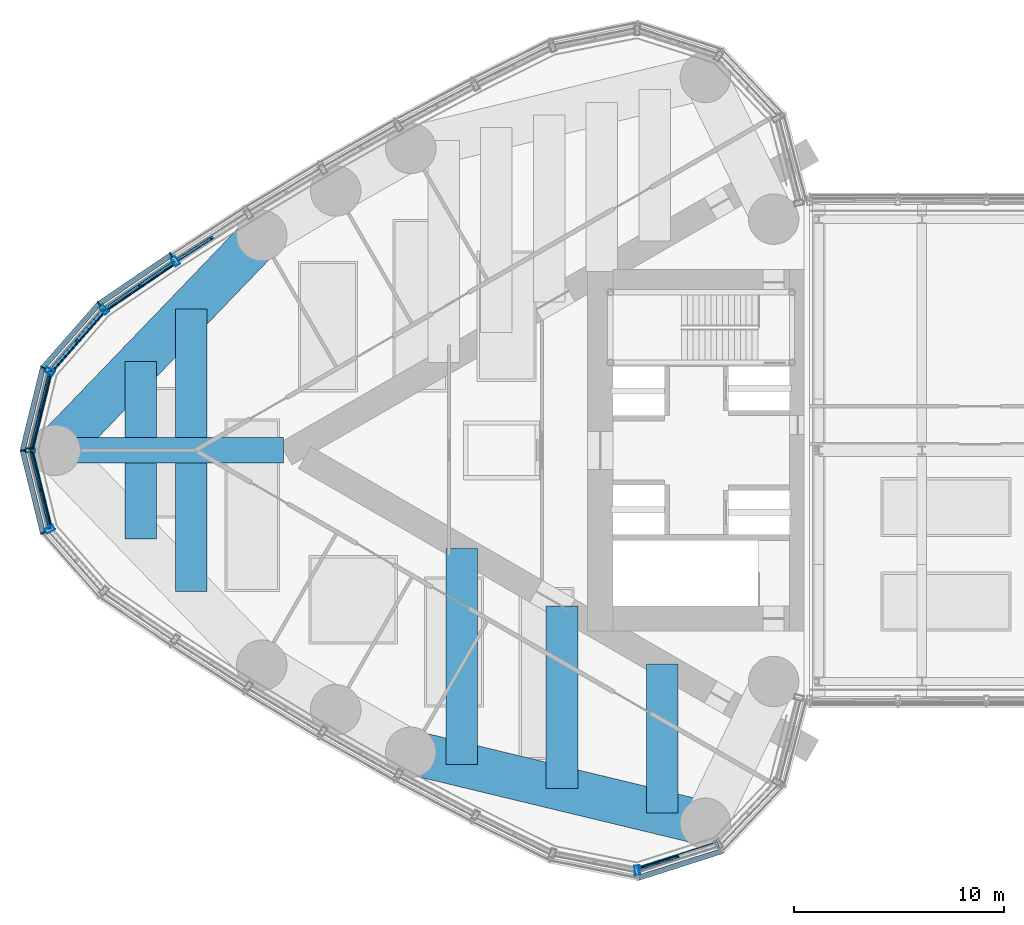
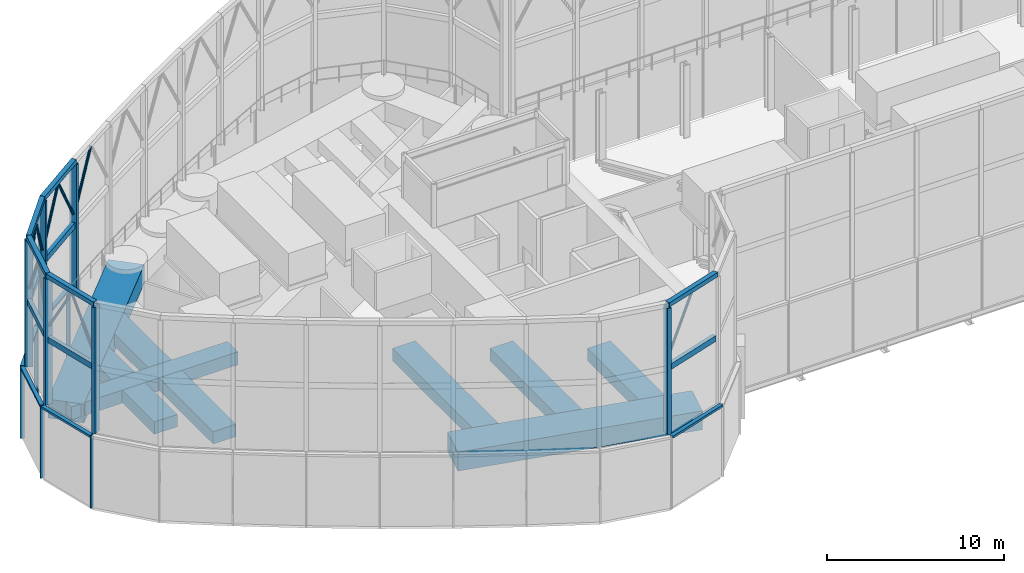
# One storey, part 8 of 33: 36 members, 10 beams, 2 elements without a shape of their own.
"""IFC4 building model written with IfcOpenShell, lengths in metres."""

from ifc_helpers import new_model, si_unit, direction, frame, origin, origin_2d, place, context, subcontext, project, spatial, rectangle, hollow_rectangle, hollow_circle, extrude, material, material_profile, profile_set, type_object, element, aggregate, save


model = new_model("IFC4")

# Units and contexts
model_context = context("Model", 3, precision=1e-05, world=origin(), true_north=direction((0.0, 1.0)))
body_context = subcontext(model_context, "Body", "Model", "MODEL_VIEW")
ifc_project = project(units=[si_unit("LENGTHUNIT", "METRE"), si_unit("AREAUNIT", "SQUARE_METRE"), si_unit("VOLUMEUNIT", "CUBIC_METRE"), si_unit("PLANEANGLEUNIT", "RADIAN"), si_unit("MASSUNIT", "GRAM", prefix="KILO")], contexts=[model_context])

# Site, building, storey
site_placement = place(None, origin())
site = spatial("IfcSite", under=ifc_project, at=site_placement, CompositionType="ELEMENT")
building_placement = place(site_placement, origin())
building = spatial("IfcBuilding", under=site, at=building_placement, Name="Lancet Gate Hotel", CompositionType="ELEMENT")
storey_placement = place(building_placement, frame((0.0, 0.0, 268.300048828125)))
storey = spatial("IfcBuildingStorey", under=building, at=storey_placement, Name="L70", CompositionType="ELEMENT", Elevation=268.300048828125)

# Curtain wall, members
ifc_material_1 = material(Name="Aluminium curtain wall", Category="aluminium")
curtain_wall_type_1 = type_object("IfcCurtainWallType", Name="Lantern crown glazing", PredefinedType="USERDEFINED", material=ifc_material_1)
curtain_wall_1_placement = place(storey_placement, origin())
curtain_wall_1 = element("IfcCurtainWall", 1, at=curtain_wall_1_placement, inside=storey, type_object=curtain_wall_type_1, Name="T1 L70 curtain wall 1", ObjectType="LANTERN GLAZING", PredefinedType="USERDEFINED")
ifc_material_2 = material(Name="Aluminium mullion", Category="aluminium")
ifc_material_profile_1 = material_profile(ifc_material_2, rectangle(XDim=0.06494140625, YDim=0.25, at=origin_2d()), Name="MULLION 65x250")
ifc_profile_set_1 = profile_set([ifc_material_profile_1], Name="Aluminium mullion")
member_type_1 = type_object("IfcMemberType", Name="Aluminium mullion 65x250", PredefinedType="MULLION", material=ifc_profile_set_1)
member_1_placement = place(storey_placement, frame((-57.72021484375, 9.298095703125, 0.0), z_axis=(0.0, 0.0, 1.0), x_axis=(-0.834827178542, -0.550512108829, 0.0)))
member_1 = element("IfcMember", 2, at=member_1_placement, type_object=member_type_1, Name="T1 L70 curtain wall 1 mullion 10", PredefinedType="MULLION", context=body_context, shape_type="SweptSolid", body=[
    extrude(rectangle(XDim=0.06494140625, YDim=0.25, at=origin_2d()), origin(), (0.0, 0.0, 1.0), 5.0),
])
member_2_placement = place(storey_placement, frame((-61.15283203125, 6.967529296875, 0.0), z_axis=(0.0, 0.0, 1.0), x_axis=(-0.750715604757, -0.660625522345, 0.0)))
member_2 = element("IfcMember", 3, at=member_2_placement, type_object=member_type_1, Name="T1 L70 curtain wall 1 mullion 11", PredefinedType="MULLION", context=body_context, shape_type="SweptSolid", body=[
    extrude(rectangle(XDim=0.06494140625, YDim=0.25, at=origin_2d()), origin(), (0.0, 0.0, 1.0), 5.0),
])
member_3_placement = place(storey_placement, frame((-63.822021484375, 3.928466796875, 0.0), z_axis=(0.0, 0.0, 1.0), x_axis=(-0.46217799743, -0.886787177789, 0.0)))
member_3 = element("IfcMember", 4, at=member_3_placement, type_object=member_type_1, Name="T1 L70 curtain wall 1 mullion 12", PredefinedType="MULLION", context=body_context, shape_type="SweptSolid", body=[
    extrude(rectangle(XDim=0.06494140625, YDim=0.25, at=origin_2d()), origin(), (0.0, 0.0, 1.0), 5.0),
])
member_4_placement = place(storey_placement, frame((-64.7841796875, 0.0, 0.0), z_axis=(0.0, 0.0, 1.0), x_axis=(0.0, -1.0, 0.0)))
member_4 = element("IfcMember", 5, at=member_4_placement, type_object=member_type_1, Name="T1 L70 curtain wall 1 mullion 13", PredefinedType="MULLION", context=body_context, shape_type="SweptSolid", body=[
    extrude(rectangle(XDim=0.06494140625, YDim=0.25, at=origin_2d()), origin(), (0.0, 0.0, 1.0), 5.0),
])
member_5_placement = place(storey_placement, frame((-63.822021484375, -3.928466796875, 0.0), z_axis=(0.0, 0.0, 1.0), x_axis=(0.46217799743, -0.886787177789, 0.0)))
member_5 = element("IfcMember", 6, at=member_5_placement, type_object=member_type_1, Name="T1 L70 curtain wall 1 mullion 14", PredefinedType="MULLION", context=body_context, shape_type="SweptSolid", body=[
    extrude(rectangle(XDim=0.06494140625, YDim=0.25, at=origin_2d()), origin(), (0.0, 0.0, 1.0), 5.0),
])
ifc_material_3 = material(Name="Aluminium transom", Category="aluminium")
ifc_material_profile_2 = material_profile(ifc_material_3, rectangle(XDim=0.25, YDim=0.14990234375, at=origin_2d()), Name="TRANSOM 250x150")
ifc_profile_set_2 = profile_set([ifc_material_profile_2], Name="Aluminium transom")
member_type_2 = type_object("IfcMemberType", Name="Aluminium transom 250x150", PredefinedType="USERDEFINED", material=ifc_profile_set_2)
member_6_placement = place(storey_placement, frame((-57.7470703125, 9.27978515625, 4.925048828125), z_axis=(-0.827348780456, -0.561688521761, 0.0), x_axis=(0.561688521761, -0.827348780456, 0.0)))
member_6 = element("IfcMember", 7, at=member_6_placement, type_object=member_type_2, Name="T1 L70 curtain wall 1 transom 10", ObjectType="TRANSOM", PredefinedType="USERDEFINED", context=body_context, shape_type="SweptSolid", body=[
    extrude(rectangle(XDim=0.25, YDim=0.14990234375, at=origin_2d()), origin(), (0.0, 0.0, 1.0), 4.083984375),
])
member_7_placement = place(storey_placement, frame((-61.17431640625, 6.943115234375, 4.925048828125), z_axis=(-0.659893258593, -0.751359359603, 0.0), x_axis=(0.751359359603, -0.659893258593, 0.0)))
member_7 = element("IfcMember", 8, at=member_7_placement, type_object=member_type_2, Name="T1 L70 curtain wall 1 transom 11", ObjectType="TRANSOM", PredefinedType="USERDEFINED", context=body_context, shape_type="SweptSolid", body=[
    extrude(rectangle(XDim=0.25, YDim=0.14990234375, at=origin_2d()), origin(), (0.0, 0.0, 1.0), 3.979736328125),
])
member_8_placement = place(storey_placement, frame((-63.829833984375, 3.89697265625, 4.925048828125), z_axis=(-0.237899438372, -0.971289790548, 0.0), x_axis=(0.971289790548, -0.237899438372, 0.0)))
member_8 = element("IfcMember", 9, at=member_8_placement, type_object=member_type_2, Name="T1 L70 curtain wall 1 transom 12", ObjectType="TRANSOM", PredefinedType="USERDEFINED", context=body_context, shape_type="SweptSolid", body=[
    extrude(rectangle(XDim=0.25, YDim=0.14990234375, at=origin_2d()), origin(), (0.0, 0.0, 1.0), 3.979736328125),
])
member_9_placement = place(storey_placement, frame((-64.776611328125, -0.031494140625, 4.925048828125), z_axis=(0.237899438372, -0.971289790548, 0.0), x_axis=(0.971289790548, 0.237899438372, 0.0)))
member_9 = element("IfcMember", 10, at=member_9_placement, type_object=member_type_2, Name="T1 L70 curtain wall 1 transom 13", ObjectType="TRANSOM", PredefinedType="USERDEFINED", context=body_context, shape_type="SweptSolid", body=[
    extrude(rectangle(XDim=0.25, YDim=0.14990234375, at=origin_2d()), origin(), (0.0, 0.0, 1.0), 3.979736328125),
])
member_10_placement = place(storey_placement, frame((-35.48974609375, -20.338134765625, 4.925048828125), z_axis=(0.952697713775, 0.303919506068, 0.0), x_axis=(-0.303919506068, 0.952697713775, 0.0)))
member_10 = element("IfcMember", 11, at=member_10_placement, type_object=member_type_2, Name="T1 L70 curtain wall 1 transom 22", ObjectType="TRANSOM", PredefinedType="USERDEFINED", context=body_context, shape_type="SweptSolid", body=[
    extrude(rectangle(XDim=0.25, YDim=0.14990234375, at=origin_2d()), origin(), (0.0, 0.0, 1.0), 4.180419921875),
])
aggregate(curtain_wall_1, [member_1, member_2, member_3, member_4, member_5, member_6, member_7, member_8, member_9, member_10])

# Beams
ifc_material_4 = material(Name="Concrete C50/60", Category="concrete")
ifc_material_profile_3 = material_profile(ifc_material_4, rectangle(XDim=2.10009765625, YDim=1.300048828125, at=origin_2d()), Name="RC 2100x1300")
ifc_profile_set_3 = profile_set([ifc_material_profile_3], Name="Concrete C50/60")
beam_type_1 = type_object("IfcBeamType", Name="Edge beam RC 2100x1300", PredefinedType="SPANDREL", material=ifc_profile_set_3)
beam_1_placement = place(storey_placement, frame((-53.40771484375, 10.218994140625, 4.050048828125), z_axis=(-0.693134527053, -0.720808245934, 0.0), x_axis=(0.720808245934, -0.693134527053, 0.0)))
element("IfcBeam", 12, at=beam_1_placement, inside=storey, type_object=beam_type_1, Name="T1 edge beam EB1 L70", PredefinedType="SPANDREL", context=body_context, shape_type="SweptSolid", body=[
    extrude(rectangle(XDim=2.10009765625, YDim=1.300048828125, at=origin_2d()), origin(), (0.0, 0.0, 1.0), 14.17724609375),
])
beam_2_placement = place(storey_placement, frame((-46.316650390625, -14.365478515625, 4.050048828125), z_axis=(0.972132796948, -0.234430853556, 0.0), x_axis=(0.234430853556, 0.972132796948, 0.0)))
element("IfcBeam", 13, at=beam_2_placement, inside=storey, type_object=beam_type_1, Name="T1 edge beam EB1 L70", PredefinedType="SPANDREL", context=body_context, shape_type="SweptSolid", body=[
    extrude(rectangle(XDim=2.10009765625, YDim=1.300048828125, at=origin_2d()), origin(), (0.0, 0.0, 1.0), 14.41748046875),
])
ifc_material_5 = material(Name="Concrete C50/60", Category="concrete")
ifc_material_profile_4 = material_profile(ifc_material_5, rectangle(XDim=1.5, YDim=0.85009765625, at=origin_2d()), Name="RC 1500x850")
ifc_profile_set_4 = profile_set([ifc_material_profile_4], Name="Concrete C50/60")
beam_type_2 = type_object("IfcBeamType", Name="Floor beam RC 1500x850", PredefinedType="BEAM", material=ifc_profile_set_4)
beam_3_placement = place(storey_placement, frame((-34.353515625, -10.169921875, 4.27490234375), z_axis=(0.0, -1.0, 0.0), x_axis=(1.0, 0.0, 0.0)))
element("IfcBeam", 14, at=beam_3_placement, inside=storey, type_object=beam_type_2, Name="T1 floor beam F01N L70", PredefinedType="BEAM", context=body_context, shape_type="SweptSolid", body=[
    extrude(rectangle(XDim=1.5, YDim=0.85009765625, at=origin_2d()), origin(), (0.0, 0.0, 1.0), 7.08056640625),
])
beam_4_placement = place(storey_placement, frame((-39.122314453125, -7.41650390625, 4.27490234375), z_axis=(0.0, -1.0, 0.0), x_axis=(1.0, 0.0, 0.0)))
element("IfcBeam", 15, at=beam_4_placement, inside=storey, type_object=beam_type_2, Name="T1 floor beam F04N L70", PredefinedType="BEAM", context=body_context, shape_type="SweptSolid", body=[
    extrude(rectangle(XDim=1.5, YDim=0.85009765625, at=origin_2d()), origin(), (0.0, 0.0, 1.0), 8.683837890625),
])
beam_5_placement = place(storey_placement, frame((-43.891357421875, -4.663330078125, 4.27490234375), z_axis=(0.0, -1.0, 0.0), x_axis=(1.0, 0.0, 0.0)))
element("IfcBeam", 16, at=beam_5_placement, inside=storey, type_object=beam_type_2, Name="T1 floor beam F07N L70", PredefinedType="BEAM", context=body_context, shape_type="SweptSolid", body=[
    extrude(rectangle(XDim=1.5, YDim=0.85009765625, at=origin_2d()), origin(), (0.0, 0.0, 1.0), 10.287109375),
])
for number, where, z_axis, x_axis, name in (
    (17, (-56.768310546875, 6.72412109375, 4.27490234375), (0.0, -1.0, 0.0), (1.0, 0.0, 0.0), "T1 floor beam F09S L70"),
    (18, (-56.768310546875, -0.60009765625, 4.27490234375), (0.0, -1.0, 0.0), (1.0, 0.0, 0.0), "T1 floor beam F10N L70"),
):
    element("IfcBeam", number, at=place(storey_placement, frame(where, z_axis=z_axis, x_axis=x_axis)), inside=storey, type_object=beam_type_2, Name=name, PredefinedType="BEAM", context=body_context, shape_type="SweptSolid", body=[
        extrude(rectangle(XDim=1.5, YDim=0.85009765625, at=origin_2d()), origin(), (0.0, 0.0, 1.0), 6.1240234375),
    ])
for number, where, z_axis, x_axis, name in (
    (19, (-59.168212890625, 4.228271484375, 4.27490234375), (0.0, -1.0, 0.0), (1.0, 0.0, 0.0), "T1 floor beam F11S L70"),
    (20, (-59.168212890625, -0.60009765625, 4.27490234375), (0.0, -1.0, 0.0), (1.0, 0.0, 0.0), "T1 floor beam F12N L70"),
):
    element("IfcBeam", number, at=place(storey_placement, frame(where, z_axis=z_axis, x_axis=x_axis)), inside=storey, type_object=beam_type_2, Name=name, PredefinedType="BEAM", context=body_context, shape_type="SweptSolid", body=[
        extrude(rectangle(XDim=1.5, YDim=0.85009765625, at=origin_2d()), origin(), (0.0, 0.0, 1.0), 3.628173828125),
    ])

# Curtain wall, members
ifc_material_6 = material(Name="Steel framed lantern screen", Category="steel")
curtain_wall_type_2 = type_object("IfcCurtainWallType", Name="Lantern screen", PredefinedType="USERDEFINED", material=ifc_material_6)
curtain_wall_2_placement = place(storey_placement, origin())
curtain_wall_2 = element("IfcCurtainWall", 21, at=curtain_wall_2_placement, inside=storey, type_object=curtain_wall_type_2, Name="T1 lantern screen 1", ObjectType="LANTERN SCREEN", PredefinedType="USERDEFINED")
ifc_material_7 = material(Name="Steel S355", Category="steel")
ifc_material_profile_5 = material_profile(ifc_material_7, hollow_rectangle(XDim=0.300048828125, YDim=0.300048828125, WallThickness=0.012451171875, at=origin_2d()), Name="RHS 300x300x12.5")
ifc_profile_set_5 = profile_set([ifc_material_profile_5], Name="Steel S355")
member_type_3 = type_object("IfcMemberType", Name="Lantern cap beam RHS 300x300x12.5", PredefinedType="USERDEFINED", material=ifc_profile_set_5)
member_11_placement = place(storey_placement, frame((-57.52197265625, 8.99755859375, 13.849853515625), z_axis=(-0.827356149057, -0.5616776679, 0.0), x_axis=(0.5616776679, -0.827356149057, 0.0)))
member_11 = element("IfcMember", 22, at=member_11_placement, type_object=member_type_3, Name="T1 lantern screen 1 cap 10", ObjectType="LANTERN FRAME", PredefinedType="USERDEFINED", context=body_context, shape_type="SweptSolid", body=[
    extrude(hollow_rectangle(XDim=0.300048828125, YDim=0.300048828125, WallThickness=0.012451171875, at=origin_2d()), origin(), (0.0, 0.0, 1.0), 4.098388671875),
])
member_12_placement = place(storey_placement, frame((-60.912841796875, 6.695556640625, 13.849853515625), z_axis=(-0.659895747714, -0.751357173486, 0.0), x_axis=(0.751357173486, -0.659895747714, 0.0)))
member_12 = element("IfcMember", 23, at=member_12_placement, type_object=member_type_3, Name="T1 lantern screen 1 cap 11", ObjectType="LANTERN FRAME", PredefinedType="USERDEFINED", context=body_context, shape_type="SweptSolid", body=[
    extrude(hollow_rectangle(XDim=0.300048828125, YDim=0.300048828125, WallThickness=0.012451171875, at=origin_2d()), origin(), (0.0, 0.0, 1.0), 3.91064453125),
])
member_13_placement = place(storey_placement, frame((-63.493408203125, 3.75732421875, 13.849853515625), z_axis=(-0.237869944506, -0.971297014049, 0.0), x_axis=(0.971297014049, -0.237869944506, 0.0)))
member_13 = element("IfcMember", 24, at=member_13_placement, type_object=member_type_3, Name="T1 lantern screen 1 cap 12", ObjectType="LANTERN FRAME", PredefinedType="USERDEFINED", context=body_context, shape_type="SweptSolid", body=[
    extrude(hollow_rectangle(XDim=0.300048828125, YDim=0.300048828125, WallThickness=0.012451171875, at=origin_2d()), origin(), (0.0, 0.0, 1.0), 3.868408203125),
])
member_14_placement = place(storey_placement, frame((-64.41357421875, 0.0, 13.849853515625), z_axis=(0.237869944506, -0.971297014049, 0.0), x_axis=(0.971297014049, 0.237869944506, 0.0)))
member_14 = element("IfcMember", 25, at=member_14_placement, type_object=member_type_3, Name="T1 lantern screen 1 cap 13", ObjectType="LANTERN FRAME", PredefinedType="USERDEFINED", context=body_context, shape_type="SweptSolid", body=[
    extrude(hollow_rectangle(XDim=0.300048828125, YDim=0.300048828125, WallThickness=0.012451171875, at=origin_2d()), origin(), (0.0, 0.0, 1.0), 3.868408203125),
])
member_15_placement = place(storey_placement, frame((-35.541748046875, -19.976806640625, 13.849853515625), z_axis=(0.952693301086, 0.303933338195, 0.0), x_axis=(-0.303933338195, 0.952693301086, 0.0)))
member_15 = element("IfcMember", 26, at=member_15_placement, type_object=member_type_3, Name="T1 lantern screen 1 cap 22", ObjectType="LANTERN FRAME", PredefinedType="USERDEFINED", context=body_context, shape_type="SweptSolid", body=[
    extrude(hollow_rectangle(XDim=0.300048828125, YDim=0.300048828125, WallThickness=0.012451171875, at=origin_2d()), origin(), (0.0, 0.0, 1.0), 4.059814453125),
])
ifc_material_8 = material(Name="Steel S355", Category="steel")
ifc_material_profile_6 = material_profile(ifc_material_8, hollow_rectangle(XDim=0.25, YDim=0.449951171875, WallThickness=0.01611328125, at=origin_2d()), Name="RHS 450x250x16")
ifc_profile_set_6 = profile_set([ifc_material_profile_6], Name="Steel S355")
member_type_4 = type_object("IfcMemberType", Name="Lantern frame post RHS 450x250x16", PredefinedType="USERDEFINED", material=ifc_profile_set_6)
member_16_placement = place(storey_placement, frame((-57.52197265625, 8.99755859375, 5.0), z_axis=(0.0, 0.0, 1.0), x_axis=(-0.834827178542, -0.550512108829, 0.0)))
member_16 = element("IfcMember", 27, at=member_16_placement, type_object=member_type_4, Name="T1 lantern screen 1 frame post 10", ObjectType="LANTERN FRAME", PredefinedType="USERDEFINED", context=body_context, shape_type="SweptSolid", body=[
    extrude(hollow_rectangle(XDim=0.25, YDim=0.449951171875, WallThickness=0.01611328125, at=origin_2d()), origin(), (0.0, 0.0, 1.0), 8.699951171875),
])
member_17_placement = place(storey_placement, frame((-60.912841796875, 6.695556640625, 5.0), z_axis=(0.0, 0.0, 1.0), x_axis=(-0.749639221779, -0.661846687059, 0.0)))
member_17 = element("IfcMember", 28, at=member_17_placement, type_object=member_type_4, Name="T1 lantern screen 1 frame post 11", ObjectType="LANTERN FRAME", PredefinedType="USERDEFINED", context=body_context, shape_type="SweptSolid", body=[
    extrude(hollow_rectangle(XDim=0.25, YDim=0.449951171875, WallThickness=0.01611328125, at=origin_2d()), origin(), (0.0, 0.0, 1.0), 8.699951171875),
])
member_18_placement = place(storey_placement, frame((-63.493408203125, 3.75732421875, 5.0), z_axis=(0.0, 0.0, 1.0), x_axis=(-0.46217799743, -0.886787177789, 0.0)))
member_18 = element("IfcMember", 29, at=member_18_placement, type_object=member_type_4, Name="T1 lantern screen 1 frame post 12", ObjectType="LANTERN FRAME", PredefinedType="USERDEFINED", context=body_context, shape_type="SweptSolid", body=[
    extrude(hollow_rectangle(XDim=0.25, YDim=0.449951171875, WallThickness=0.01611328125, at=origin_2d()), origin(), (0.0, 0.0, 1.0), 8.699951171875),
])
member_19_placement = place(storey_placement, frame((-64.41357421875, 0.0, 5.0), z_axis=(0.0, 0.0, 1.0), x_axis=(0.0, -1.0, 0.0)))
member_19 = element("IfcMember", 30, at=member_19_placement, type_object=member_type_4, Name="T1 lantern screen 1 frame post 13", ObjectType="LANTERN FRAME", PredefinedType="USERDEFINED", context=body_context, shape_type="SweptSolid", body=[
    extrude(hollow_rectangle(XDim=0.25, YDim=0.449951171875, WallThickness=0.01611328125, at=origin_2d()), origin(), (0.0, 0.0, 1.0), 8.699951171875),
])
member_20_placement = place(storey_placement, frame((-63.493408203125, -3.75732421875, 5.0), z_axis=(0.0, 0.0, 1.0), x_axis=(0.46217799743, -0.886787177789, 0.0)))
member_20 = element("IfcMember", 31, at=member_20_placement, type_object=member_type_4, Name="T1 lantern screen 1 frame post 14", ObjectType="LANTERN FRAME", PredefinedType="USERDEFINED", context=body_context, shape_type="SweptSolid", body=[
    extrude(hollow_rectangle(XDim=0.25, YDim=0.449951171875, WallThickness=0.01611328125, at=origin_2d()), origin(), (0.0, 0.0, 1.0), 8.699951171875),
])
member_21_placement = place(storey_placement, frame((-35.541748046875, -19.976806640625, 5.0), z_axis=(0.0, 0.0, 1.0), x_axis=(0.998409168318, 0.056383797491, 0.0)))
member_21 = element("IfcMember", 32, at=member_21_placement, type_object=member_type_4, Name="T1 lantern screen 1 frame post 22", ObjectType="LANTERN FRAME", PredefinedType="USERDEFINED", context=body_context, shape_type="SweptSolid", body=[
    extrude(hollow_rectangle(XDim=0.25, YDim=0.449951171875, WallThickness=0.01611328125, at=origin_2d()), origin(), (0.0, 0.0, 1.0), 8.699951171875),
])
ifc_material_9 = material(Name="Steel S355", Category="steel")
ifc_material_profile_7 = material_profile(ifc_material_9, hollow_circle(Radius=0.084228515625, WallThickness=0.008056640625, at=origin_2d()), Name="CHS 168.3x8.0")
ifc_profile_set_7 = profile_set([ifc_material_profile_7], Name="Steel S355")
member_type_5 = type_object("IfcMemberType", Name="Lantern lancet head CHS 168.3x8", PredefinedType="USERDEFINED", material=ifc_profile_set_7)
member_22_placement = place(storey_placement, frame((-57.41650390625, 9.06494140625, 10.300048828125), z_axis=(0.42604738896, 0.272853247312, 0.862574476664), x_axis=(-0.539310161718, 0.842107207823, 0.0)))
member_22 = element("IfcMember", 33, at=member_22_placement, type_object=member_type_5, Name="T1 lantern screen 1 lancet head 9B", ObjectType="LANTERN FRAME", PredefinedType="USERDEFINED", context=body_context, shape_type="SweptSolid", body=[
    extrude(hollow_circle(Radius=0.084228515625, WallThickness=0.008056640625, at=origin_2d()), origin(), (0.0, 0.0, 1.0), 3.843994140625),
])
member_23_placement = place(storey_placement, frame((-57.625244140625, 8.92724609375, 10.300048828125), z_axis=(-0.415286864406, -0.281931444369, 0.864899694142), x_axis=(0.561678255687, -0.827355750019, 0.0)))
member_23 = element("IfcMember", 34, at=member_23_placement, type_object=member_type_5, Name="T1 lantern screen 1 lancet head 10A", ObjectType="LANTERN FRAME", PredefinedType="USERDEFINED", context=body_context, shape_type="SweptSolid", body=[
    extrude(hollow_circle(Radius=0.084228515625, WallThickness=0.008056640625, at=origin_2d()), origin(), (0.0, 0.0, 1.0), 3.83349609375),
])
member_24_placement = place(storey_placement, frame((-60.809326171875, 6.765625, 10.300048828125), z_axis=(0.415286864406, 0.281931444369, 0.864899694142), x_axis=(-0.561678255687, 0.827355750019, 0.0)))
member_24 = element("IfcMember", 35, at=member_24_placement, type_object=member_type_5, Name="T1 lantern screen 1 lancet head 10B", ObjectType="LANTERN FRAME", PredefinedType="USERDEFINED", context=body_context, shape_type="SweptSolid", body=[
    extrude(hollow_circle(Radius=0.084228515625, WallThickness=0.008056640625, at=origin_2d()), origin(), (0.0, 0.0, 1.0), 3.83349609375),
])
member_25_placement = place(storey_placement, frame((-60.9951171875, 6.6015625, 10.405517578125), z_axis=(-0.326894830783, -0.372150077163, 0.868702532329), x_axis=(0.751311179774, -0.659948112466, 0.0)))
member_25 = element("IfcMember", 36, at=member_25_placement, type_object=member_type_5, Name="T1 lantern screen 1 lancet head 11A", ObjectType="LANTERN FRAME", PredefinedType="USERDEFINED", context=body_context, shape_type="SweptSolid", body=[
    extrude(hollow_circle(Radius=0.084228515625, WallThickness=0.008056640625, at=origin_2d()), origin(), (0.0, 0.0, 1.0), 3.6953125),
])
member_26_placement = place(storey_placement, frame((-63.410888671875, 3.85107421875, 10.405517578125), z_axis=(0.326835822652, 0.372158113806, 0.868721292107), x_axis=(-0.75137731353, 0.659872815557, 0.0)))
member_26 = element("IfcMember", 37, at=member_26_placement, type_object=member_type_5, Name="T1 lantern screen 1 lancet head 11B", ObjectType="LANTERN FRAME", PredefinedType="USERDEFINED", context=body_context, shape_type="SweptSolid", body=[
    extrude(hollow_circle(Radius=0.084228515625, WallThickness=0.008056640625, at=origin_2d()), origin(), (0.0, 0.0, 1.0), 3.6953125),
])
member_27_placement = place(storey_placement, frame((-63.52294921875, 3.6357421875, 10.443603515625), z_axis=(-0.117868286192, -0.481167360023, 0.868668543668), x_axis=(0.971282674028, -0.237928491637, 0.0)))
member_27 = element("IfcMember", 38, at=member_27_placement, type_object=member_type_5, Name="T1 lantern screen 1 lancet head 12A", ObjectType="LANTERN FRAME", PredefinedType="USERDEFINED", context=body_context, shape_type="SweptSolid", body=[
    extrude(hollow_circle(Radius=0.084228515625, WallThickness=0.008056640625, at=origin_2d()), origin(), (0.0, 0.0, 1.0), 3.651611328125),
])
member_28_placement = place(storey_placement, frame((-64.3837890625, 0.121337890625, 10.443603515625), z_axis=(0.117864494378, 0.481218735412, 0.868640598668), x_axis=(-0.971290312415, 0.237897307695, 0.0)))
member_28 = element("IfcMember", 39, at=member_28_placement, type_object=member_type_5, Name="T1 lantern screen 1 lancet head 12B", ObjectType="LANTERN FRAME", PredefinedType="USERDEFINED", context=body_context, shape_type="SweptSolid", body=[
    extrude(hollow_circle(Radius=0.084228515625, WallThickness=0.008056640625, at=origin_2d()), origin(), (0.0, 0.0, 1.0), 3.65185546875),
])
member_29_placement = place(storey_placement, frame((-64.3837890625, -0.121337890625, 10.443603515625), z_axis=(0.117864494378, -0.481218735412, 0.868640598668), x_axis=(0.971290312415, 0.237897307695, 0.0)))
member_29 = element("IfcMember", 40, at=member_29_placement, type_object=member_type_5, Name="T1 lantern screen 1 lancet head 13A", ObjectType="LANTERN FRAME", PredefinedType="USERDEFINED", context=body_context, shape_type="SweptSolid", body=[
    extrude(hollow_circle(Radius=0.084228515625, WallThickness=0.008056640625, at=origin_2d()), origin(), (0.0, 0.0, 1.0), 3.65185546875),
])
member_30_placement = place(storey_placement, frame((-63.52294921875, -3.6357421875, 10.443603515625), z_axis=(-0.117868286192, 0.481167360023, 0.868668543668), x_axis=(-0.971282674028, -0.237928491637, 0.0)))
member_30 = element("IfcMember", 41, at=member_30_placement, type_object=member_type_5, Name="T1 lantern screen 1 lancet head 13B", ObjectType="LANTERN FRAME", PredefinedType="USERDEFINED", context=body_context, shape_type="SweptSolid", body=[
    extrude(hollow_circle(Radius=0.084228515625, WallThickness=0.008056640625, at=origin_2d()), origin(), (0.0, 0.0, 1.0), 3.651611328125),
])
member_31_placement = place(storey_placement, frame((-35.422607421875, -19.938720703125, 10.300048828125), z_axis=(0.474572265672, 0.151380444223, 0.867101566001), x_axis=(-0.303896621532, 0.952705013853, 0.0)))
member_31 = element("IfcMember", 42, at=member_31_placement, type_object=member_type_5, Name="T1 lantern screen 1 lancet head 22A", ObjectType="LANTERN FRAME", PredefinedType="USERDEFINED", context=body_context, shape_type="SweptSolid", body=[
    extrude(hollow_circle(Radius=0.084228515625, WallThickness=0.008056640625, at=origin_2d()), origin(), (0.0, 0.0, 1.0), 3.823974609375),
])
ifc_material_10 = material(Name="Steel S355", Category="steel")
ifc_material_profile_8 = material_profile(ifc_material_10, hollow_rectangle(XDim=0.25, YDim=0.39990234375, WallThickness=0.012451171875, at=origin_2d()), Name="RHS 400x250x12.5")
ifc_profile_set_8 = profile_set([ifc_material_profile_8], Name="Steel S355")
member_type_6 = type_object("IfcMemberType", Name="Lantern ring beam RHS 400x250x12.5", PredefinedType="USERDEFINED", material=ifc_profile_set_8)
member_32_placement = place(storey_placement, frame((-57.625244140625, 8.92724609375, 9.5), z_axis=(-0.827355750019, -0.561678255687, 0.0), x_axis=(0.561678255687, -0.827355750019, 0.0)))
member_32 = element("IfcMember", 43, at=member_32_placement, type_object=member_type_6, Name="T1 lantern screen 1 ring 10", ObjectType="LANTERN FRAME", PredefinedType="USERDEFINED", context=body_context, shape_type="SweptSolid", body=[
    extrude(hollow_rectangle(XDim=0.25, YDim=0.39990234375, WallThickness=0.012451171875, at=origin_2d()), origin(), (0.0, 0.0, 1.0), 3.848388671875),
])
member_33_placement = place(storey_placement, frame((-60.9951171875, 6.6015625, 9.5), z_axis=(-0.659910466497, -0.75134424614, 0.0), x_axis=(0.75134424614, -0.659910466497, 0.0)))
member_33 = element("IfcMember", 44, at=member_33_placement, type_object=member_type_6, Name="T1 lantern screen 1 ring 11", ObjectType="LANTERN FRAME", PredefinedType="USERDEFINED", context=body_context, shape_type="SweptSolid", body=[
    extrude(hollow_rectangle(XDim=0.25, YDim=0.39990234375, WallThickness=0.012451171875, at=origin_2d()), origin(), (0.0, 0.0, 1.0), 3.66064453125),
])
member_34_placement = place(storey_placement, frame((-63.52294921875, 3.6357421875, 9.5), z_axis=(-0.237912898675, -0.971286493597, 0.0), x_axis=(0.971286493597, -0.237912898675, 0.0)))
member_34 = element("IfcMember", 45, at=member_34_placement, type_object=member_type_6, Name="T1 lantern screen 1 ring 12", ObjectType="LANTERN FRAME", PredefinedType="USERDEFINED", context=body_context, shape_type="SweptSolid", body=[
    extrude(hollow_rectangle(XDim=0.25, YDim=0.39990234375, WallThickness=0.012451171875, at=origin_2d()), origin(), (0.0, 0.0, 1.0), 3.618408203125),
])
member_35_placement = place(storey_placement, frame((-64.3837890625, -0.121337890625, 9.5), z_axis=(0.237912898675, -0.971286493597, 0.0), x_axis=(0.971286493597, 0.237912898675, 0.0)))
member_35 = element("IfcMember", 46, at=member_35_placement, type_object=member_type_6, Name="T1 lantern screen 1 ring 13", ObjectType="LANTERN FRAME", PredefinedType="USERDEFINED", context=body_context, shape_type="SweptSolid", body=[
    extrude(hollow_rectangle(XDim=0.25, YDim=0.39990234375, WallThickness=0.012451171875, at=origin_2d()), origin(), (0.0, 0.0, 1.0), 3.618408203125),
])
member_36_placement = place(storey_placement, frame((-35.422607421875, -19.938720703125, 9.5), z_axis=(0.952705013853, 0.303896621532, 0.0), x_axis=(-0.303896621532, 0.952705013853, 0.0)))
member_36 = element("IfcMember", 47, at=member_36_placement, type_object=member_type_6, Name="T1 lantern screen 1 ring 22", ObjectType="LANTERN FRAME", PredefinedType="USERDEFINED", context=body_context, shape_type="SweptSolid", body=[
    extrude(hollow_rectangle(XDim=0.25, YDim=0.39990234375, WallThickness=0.012451171875, at=origin_2d()), origin(), (0.0, 0.0, 1.0), 3.8095703125),
])
aggregate(curtain_wall_2, [member_16, member_17, member_18, member_19, member_20, member_21, member_22, member_11, member_32, member_23, member_24, member_12, member_33, member_25, member_26, member_13, member_34, member_27, member_28, member_14, member_35, member_29, member_30, member_15, member_36, member_31])

# Beam
ifc_material_11 = material(Name="Concrete C50/60", Category="concrete")
ifc_material_profile_9 = material_profile(ifc_material_11, rectangle(XDim=1.199951171875, YDim=0.89990234375, at=origin_2d()), Name="RC 1200x900")
ifc_profile_set_9 = profile_set([ifc_material_profile_9], Name="Concrete C50/60")
beam_type_3 = type_object("IfcBeamType", Name="Radial floor beam RC 1200x900", PredefinedType="BEAM", material=ifc_profile_set_9)
beam_6_placement = place(storey_placement, frame((-63.234375, 0.0, 4.25), z_axis=(1.0, 0.0, 0.0), x_axis=(0.0, 1.0, 0.0)))
element("IfcBeam", 48, at=beam_6_placement, inside=storey, type_object=beam_type_3, Name="T1 radial beam CA L70", PredefinedType="BEAM", context=body_context, shape_type="SweptSolid", body=[
    extrude(rectangle(XDim=1.199951171875, YDim=0.89990234375, at=origin_2d()), origin(), (0.0, 0.0, 1.0), 10.8662109375),
])

save(model, "model.ifc")
